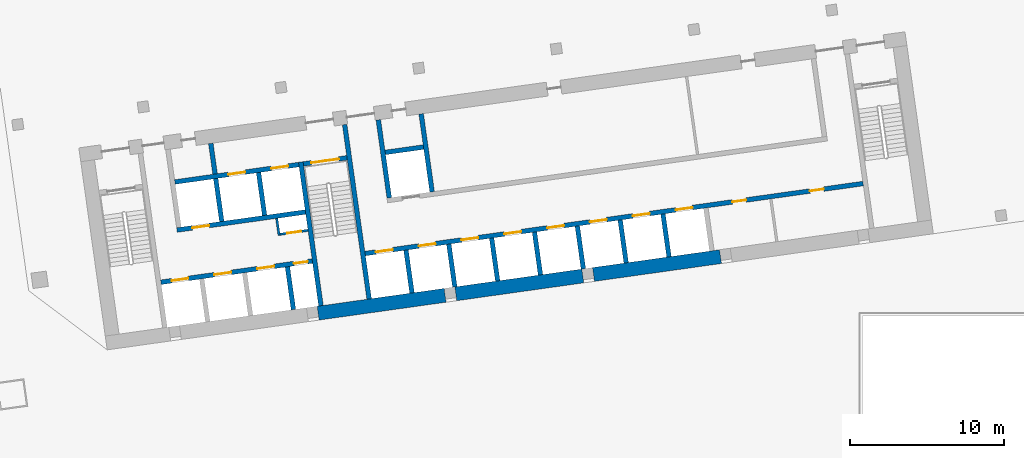
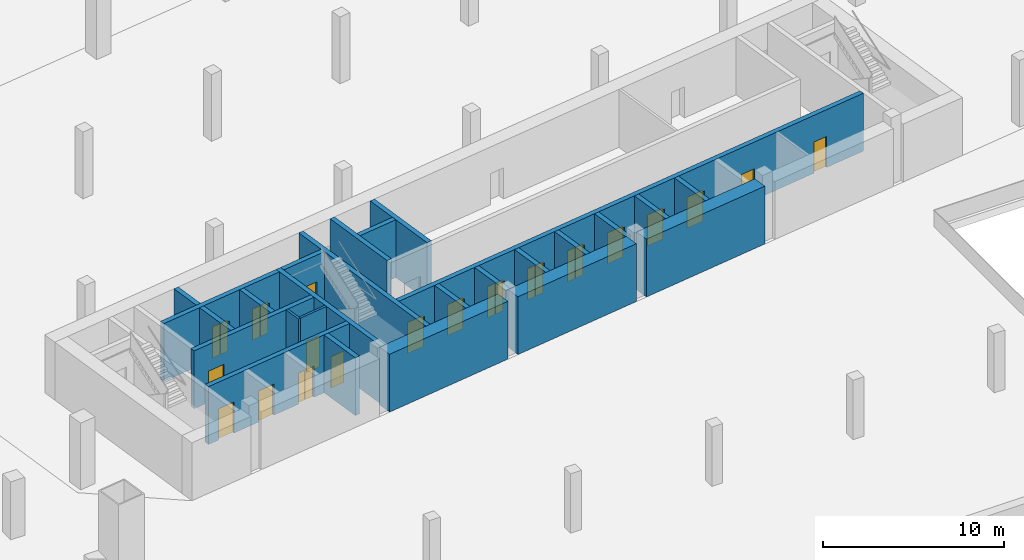
# One storey, part 9 of 17: 26 walls, 19 doors, 19 openings.
"""IFC4 building model written with IfcOpenShell, lengths in metres."""

from ifc_helpers import new_model, si_unit, direction, frame, frame_2d, origin, place, context, subcontext, project, spatial, rectangle, extrude, material, layer, layer_set, type_object, element, fill, save


model = new_model("IFC4")

# Units and contexts
model_context = context("Model", 3, precision=1e-05, world=origin(), true_north=direction((0.0, 1.0)))
body_context = subcontext(model_context, "Body", "Model", "MODEL_VIEW")
ifc_project = project(units=[si_unit("LENGTHUNIT", "METRE"), si_unit("AREAUNIT", "SQUARE_METRE"), si_unit("VOLUMEUNIT", "CUBIC_METRE"), si_unit("PLANEANGLEUNIT", "RADIAN"), si_unit("MASSUNIT", "GRAM", prefix="KILO")], contexts=[model_context])

# Site, building, storey
site_placement = place(None, origin())
site = spatial("IfcSite", under=ifc_project, at=site_placement, CompositionType="ELEMENT")
building_placement = place(site_placement, origin())
building = spatial("IfcBuilding", under=site, at=building_placement, Name="Mirante Cascada Hotel Towers", CompositionType="ELEMENT")
storey_placement = place(building_placement, frame((0.0, 0.0, -4.5)))
storey = spatial("IfcBuildingStorey", under=building, at=storey_placement, Name="B1", CompositionType="ELEMENT", Elevation=-4.5)

# Wall
ifc_material_1 = material(Name="Masonry block", Category="masonry")
ifc_layer_1 = layer(ifc_material_1, 0.15)
ifc_layer_set_1 = layer_set([ifc_layer_1], Name="Core room partition 150 block EI 30")
wall_type_1 = type_object("IfcWallType", Name="Core room partition 150 block EI 30", PredefinedType="PARTITIONING", material=ifc_layer_set_1)
wall_1_placement = place(storey_placement, frame((48.2295, -12.793, 0.0), z_axis=(0.0, 0.0, 1.0), x_axis=(-0.1391935, 0.9902652, 0.0)))
element("IfcWall", 1, at=wall_1_placement, inside=storey, type_object=wall_type_1, Name="Core wall partition T2 B1 2", PredefinedType="PARTITIONING", context=body_context, shape_type="SweptSolid", body=[
    extrude(rectangle(XDim=1.1251, YDim=0.15, at=frame_2d((0.5626, 0.0))), origin(), (0.0, 0.0, 1.0), 3.9),
])

# Wall, opening, door
wall_2_placement = place(storey_placement, frame((48.2933, -12.7083, 0.0), z_axis=(0.0, 0.0, 1.0), x_axis=(0.990268, 0.1391734, 0.0)))
wall_2 = element("IfcWall", 2, at=wall_2_placement, inside=storey, type_object=wall_type_1, Name="Core wall partition T2 B1 3", PredefinedType="PARTITIONING", context=body_context, shape_type="SweptSolid", body=[
    extrude(rectangle(XDim=1.8251, YDim=0.15, at=frame_2d((0.9126, 0.0))), origin(), (0.0, 0.0, 1.0), 3.9),
])
opening_1_placement = place(wall_2_placement, frame((0.4625, 0.0, 0.0)))
opening_1 = element("IfcOpeningElement", 3, at=opening_1_placement, cuts=wall_2, Name="Opening D2-B1-C26", PredefinedType="OPENING", context=body_context, shape_type="SweptSolid", body=[
    extrude(rectangle(XDim=0.9, YDim=2.1, at=frame_2d((0.45, 1.05))), frame((0.0, 0.075, 0.0), z_axis=(0.0, -1.0, 0.0), x_axis=(1.0, 0.0, 0.0)), (0.0, 0.0, 1.0), 0.15),
])
ifc_material_2 = material(Name="Hollow metal fire door leaf")
door_type_1 = type_object("IfcDoorType", Name="Fire door 900x2100 FD60", OperationType="NOTDEFINED", PredefinedType="DOOR", material=ifc_material_2)
door_1_placement = place(opening_1_placement, frame((0.9, 0.0, 0.0), z_axis=(0.0, 0.0, 1.0), x_axis=(-1.0, 0.0, 0.0)))
door_1 = element("IfcDoor", 4, at=door_1_placement, inside=storey, type_object=door_type_1, Name="Riser door T2 B1 26", OperationType="SINGLE_SWING_LEFT", OverallHeight=2.1, OverallWidth=0.9, PredefinedType="DOOR", context=body_context, shape_type="SweptSolid", body=[
    extrude(rectangle(XDim=0.9, YDim=2.1, at=frame_2d((0.45, 1.05))), frame((0.0, 0.025, 0.0), z_axis=(0.0, -1.0, 0.0), x_axis=(1.0, 0.0, 0.0)), (0.0, 0.0, 1.0), 0.05),
])
fill(opening_1, door_1)

# Walls
ifc_material_3 = material(Name="Masonry block", Category="masonry")
ifc_layer_2 = layer(ifc_material_3, 0.3)
ifc_layer_set_2 = layer_set([ifc_layer_2], Name="Core wall 300 block EI 120")
wall_type_2 = type_object("IfcWallType", Name="Core wall 300 block EI 120", PredefinedType="PARTITIONING", material=ifc_layer_set_2)
wall_3_placement = place(storey_placement, frame((44.0843, -8.8061, 0.0), z_axis=(0.0, 0.0, 1.0), x_axis=(-0.1391951, 0.990265, 0.0)))
element("IfcWall", 5, at=wall_3_placement, inside=storey, type_object=wall_type_2, Name="Core wall partition T2 B1 1", PredefinedType="PARTITIONING", context=body_context, shape_type="SweptSolid", body=[
    extrude(rectangle(XDim=2.0001, YDim=0.3, at=frame_2d((1.0001, 0.0))), origin(), (0.0, 0.0, 1.0), 3.9),
])
ifc_material_4 = material(Name="Concrete C50/60", Category="concrete")
ifc_layer_3 = layer(ifc_material_4, 0.3)
ifc_layer_set_3 = layer_set([ifc_layer_3], Name="RC core wall 300 C50/60")
wall_type_3 = type_object("IfcWallType", Name="RC core wall 300 C50/60", PredefinedType="SHEAR", material=ifc_layer_set_3)
wall_4_placement = place(storey_placement, frame((50.938, -17.3352, 0.0), z_axis=(0.0, 0.0, 1.0), x_axis=(-0.1391706, 0.9902684, 0.0)))
element("IfcWall", 6, at=wall_4_placement, inside=storey, type_object=wall_type_3, Name="Core wall T2:B1:6", PredefinedType="SHEAR", context=body_context, shape_type="SweptSolid", body=[
    extrude(rectangle(XDim=9.4, YDim=0.3, at=frame_2d((4.7, 0.0))), origin(), (0.0, 0.0, 1.0), 3.9),
])
wall_5_placement = place(storey_placement, frame((54.0574, -16.8968, 0.0), z_axis=(0.0, 0.0, 1.0), x_axis=(-0.1391761, 0.9902677, 0.0)))
element("IfcWall", 7, at=wall_5_placement, inside=storey, type_object=wall_type_3, Name="Core wall T2:B1:7", PredefinedType="SHEAR", context=body_context, shape_type="SweptSolid", body=[
    extrude(rectangle(XDim=11.3999, YDim=0.3, at=frame_2d((5.7, 0.0))), origin(), (0.0, 0.0, 1.0), 3.9),
])

# Wall, opening, door
wall_6_placement = place(storey_placement, frame((49.7992, -8.1544, 0.0), z_axis=(0.0, 0.0, 1.0), x_axis=(0.9902656, 0.1391909, 0.0)))
wall_6 = element("IfcWall", 8, at=wall_6_placement, inside=storey, type_object=wall_type_3, Name="Core wall T2:B1:10", PredefinedType="SHEAR", context=body_context, shape_type="SweptSolid", body=[
    extrude(rectangle(XDim=2.85, YDim=0.3, at=frame_2d((1.425, 0.0))), origin(), (0.0, 0.0, 1.0), 3.9),
])
opening_2_placement = place(wall_6_placement, frame((0.525, 0.0, 0.0)))
opening_2 = element("IfcOpeningElement", 9, at=opening_2_placement, cuts=wall_6, Name="Opening D2-B1-C18", PredefinedType="OPENING", context=body_context, shape_type="SweptSolid", body=[
    extrude(rectangle(XDim=1.8, YDim=2.1, at=frame_2d((0.9, 1.05))), frame((0.0, 0.15, 0.0), z_axis=(0.0, -1.0, 0.0), x_axis=(1.0, 0.0, 0.0)), (0.0, 0.0, 1.0), 0.3),
])
ifc_material_5 = material(Name="Hollow metal fire door leaf")
door_type_2 = type_object("IfcDoorType", Name="Double fire door 1800x2100 FD60", OperationType="DOUBLE_DOOR_SINGLE_SWING", PredefinedType="DOOR", material=ifc_material_5)
door_2_placement = place(opening_2_placement, frame((1.8, 0.0, 0.0), z_axis=(0.0, 0.0, 1.0), x_axis=(-1.0, 0.0, 0.0)))
door_2 = element("IfcDoor", 10, at=door_2_placement, inside=storey, type_object=door_type_2, Name="Stair door T2 B1 18", OperationType="DOUBLE_DOOR_SINGLE_SWING", OverallHeight=2.1, OverallWidth=1.8, PredefinedType="DOOR", context=body_context, shape_type="SweptSolid", body=[
    extrude(rectangle(XDim=0.895, YDim=2.1, at=frame_2d((0.4475, 1.05))), frame((0.0, 0.025, 0.0), z_axis=(0.0, -1.0, 0.0), x_axis=(1.0, 0.0, 0.0)), (0.0, 0.0, 1.0), 0.05),
    extrude(rectangle(XDim=0.895, YDim=2.1, at=frame_2d((1.3525, 1.05))), frame((0.0, 0.025, 0.0), z_axis=(0.0, -1.0, 0.0), x_axis=(1.0, 0.0, 0.0)), (0.0, 0.0, 1.0), 0.05),
])
fill(opening_2, door_2)

# Wall, openings, doors
wall_7_placement = place(storey_placement, frame((40.5753, -15.8126, 0.0), z_axis=(0.0, 0.0, 1.0), x_axis=(0.9902682, 0.1391725, 0.0)))
wall_7 = element("IfcWall", 11, at=wall_7_placement, inside=storey, type_object=wall_type_3, Name="Core wall T2:B1:12", PredefinedType="SHEAR", context=body_context, shape_type="SweptSolid", body=[
    extrude(rectangle(XDim=9.8999, YDim=0.3, at=frame_2d((4.95, 0.0))), origin(), (0.0, 0.0, 1.0), 3.9),
])
opening_3_placement = place(wall_7_placement, frame((0.7, 0.0, 0.0)))
opening_3 = element("IfcOpeningElement", 12, at=opening_3_placement, cuts=wall_7, Name="Opening LD", PredefinedType="OPENING", context=body_context, shape_type="SweptSolid", body=[
    extrude(rectangle(XDim=1.1, YDim=2.1, at=frame_2d((0.55, 1.05))), frame((0.0, 0.15, 0.0), z_axis=(0.0, -1.0, 0.0), x_axis=(1.0, 0.0, 0.0)), (0.0, 0.0, 1.0), 0.3),
])
opening_4_placement = place(wall_7_placement, frame((3.5, 0.0, 0.0)))
opening_4 = element("IfcOpeningElement", 13, at=opening_4_placement, cuts=wall_7, Name="Opening LD", PredefinedType="OPENING", context=body_context, shape_type="SweptSolid", body=[
    extrude(rectangle(XDim=1.1, YDim=2.1, at=frame_2d((0.55, 1.05))), frame((0.0, 0.15, 0.0), z_axis=(0.0, -1.0, 0.0), x_axis=(1.0, 0.0, 0.0)), (0.0, 0.0, 1.0), 0.3),
])
opening_5_placement = place(wall_7_placement, frame((6.3, 0.0, 0.0)))
opening_5 = element("IfcOpeningElement", 14, at=opening_5_placement, cuts=wall_7, Name="Opening LD", PredefinedType="OPENING", context=body_context, shape_type="SweptSolid", body=[
    extrude(rectangle(XDim=1.1, YDim=2.1, at=frame_2d((0.55, 1.05))), frame((0.0, 0.15, 0.0), z_axis=(0.0, -1.0, 0.0), x_axis=(1.0, 0.0, 0.0)), (0.0, 0.0, 1.0), 0.3),
])
opening_6_placement = place(wall_7_placement, frame((8.7, 0.0, 0.0)))
opening_6 = element("IfcOpeningElement", 15, at=opening_6_placement, cuts=wall_7, Name="Opening D2-B1-C25", PredefinedType="OPENING", context=body_context, shape_type="SweptSolid", body=[
    extrude(rectangle(XDim=0.9, YDim=2.1, at=frame_2d((0.45, 1.05))), frame((0.0, 0.15, 0.0), z_axis=(0.0, -1.0, 0.0), x_axis=(1.0, 0.0, 0.0)), (0.0, 0.0, 1.0), 0.3),
])
door_3_placement = place(opening_6_placement, frame((0.9, 0.0, 0.0), z_axis=(0.0, 0.0, 1.0), x_axis=(-1.0, 0.0, 0.0)))
door_3 = element("IfcDoor", 16, at=door_3_placement, inside=storey, type_object=door_type_1, Name="Riser door T2 B1 25", OperationType="SINGLE_SWING_RIGHT", OverallHeight=2.1, OverallWidth=0.9, PredefinedType="DOOR", context=body_context, shape_type="SweptSolid", body=[
    extrude(rectangle(XDim=0.9, YDim=2.1, at=frame_2d((0.45, 1.05))), frame((0.0, 0.025, 0.0), z_axis=(0.0, -1.0, 0.0), x_axis=(1.0, 0.0, 0.0)), (0.0, 0.0, 1.0), 0.05),
])
fill(opening_6, door_3)
ifc_material_6 = material(Name="Stainless steel", Category="steel")
door_type_3 = type_object("IfcDoorType", Name="Lift landing door 1100x2100 EI 120", OperationType="DOUBLE_DOOR_SLIDING", PredefinedType="DOOR", material=ifc_material_6)
door_4_placement = place(opening_3_placement, origin())
door_4 = element("IfcDoor", 17, at=door_4_placement, inside=storey, type_object=door_type_3, Name="Lift landing door HR2-1 B1", OperationType="DOUBLE_DOOR_SLIDING", OverallHeight=2.1, OverallWidth=1.1, PredefinedType="DOOR", context=body_context, shape_type="SweptSolid", body=[
    extrude(rectangle(XDim=0.545, YDim=2.1, at=frame_2d((0.2725, 1.05))), frame((0.0, 0.025, 0.0), z_axis=(0.0, -1.0, 0.0), x_axis=(1.0, 0.0, 0.0)), (0.0, 0.0, 1.0), 0.05),
    extrude(rectangle(XDim=0.545, YDim=2.1, at=frame_2d((0.8275, 1.05))), frame((0.0, 0.025, 0.0), z_axis=(0.0, -1.0, 0.0), x_axis=(1.0, 0.0, 0.0)), (0.0, 0.0, 1.0), 0.05),
])
fill(opening_3, door_4)
door_5_placement = place(opening_4_placement, origin())
door_5 = element("IfcDoor", 18, at=door_5_placement, inside=storey, type_object=door_type_3, Name="Lift landing door HR2-2 B1", OperationType="DOUBLE_DOOR_SLIDING", OverallHeight=2.1, OverallWidth=1.1, PredefinedType="DOOR", context=body_context, shape_type="SweptSolid", body=[
    extrude(rectangle(XDim=0.545, YDim=2.1, at=frame_2d((0.2725, 1.05))), frame((0.0, 0.025, 0.0), z_axis=(0.0, -1.0, 0.0), x_axis=(1.0, 0.0, 0.0)), (0.0, 0.0, 1.0), 0.05),
    extrude(rectangle(XDim=0.545, YDim=2.1, at=frame_2d((0.8275, 1.05))), frame((0.0, 0.025, 0.0), z_axis=(0.0, -1.0, 0.0), x_axis=(1.0, 0.0, 0.0)), (0.0, 0.0, 1.0), 0.05),
])
fill(opening_4, door_5)
door_6_placement = place(opening_5_placement, origin())
door_6 = element("IfcDoor", 19, at=door_6_placement, inside=storey, type_object=door_type_3, Name="Lift landing door HR2-3 B1", OperationType="DOUBLE_DOOR_SLIDING", OverallHeight=2.1, OverallWidth=1.1, PredefinedType="DOOR", context=body_context, shape_type="SweptSolid", body=[
    extrude(rectangle(XDim=0.545, YDim=2.1, at=frame_2d((0.2725, 1.05))), frame((0.0, 0.025, 0.0), z_axis=(0.0, -1.0, 0.0), x_axis=(1.0, 0.0, 0.0)), (0.0, 0.0, 1.0), 0.05),
    extrude(rectangle(XDim=0.545, YDim=2.1, at=frame_2d((0.8275, 1.05))), frame((0.0, 0.025, 0.0), z_axis=(0.0, -1.0, 0.0), x_axis=(1.0, 0.0, 0.0)), (0.0, 0.0, 1.0), 0.05),
])
fill(opening_5, door_6)

# Wall, opening, door
wall_8_placement = place(storey_placement, frame((41.6153, -12.435, 0.0), z_axis=(0.0, 0.0, 1.0), x_axis=(0.9902691, 0.139166, 0.0)))
wall_8 = element("IfcWall", 20, at=wall_8_placement, inside=storey, type_object=wall_type_3, Name="Core wall T2:B1:13", PredefinedType="SHEAR", context=body_context, shape_type="SweptSolid", body=[
    extrude(rectangle(XDim=8.4, YDim=0.3, at=frame_2d((4.2, 0.0))), origin(), (0.0, 0.0, 1.0), 3.9),
])
opening_7_placement = place(wall_8_placement, frame((1.0, 0.0, 0.0)))
opening_7 = element("IfcOpeningElement", 21, at=opening_7_placement, cuts=wall_8, Name="Opening LD", PredefinedType="OPENING", context=body_context, shape_type="SweptSolid", body=[
    extrude(rectangle(XDim=1.1, YDim=2.1, at=frame_2d((0.55, 1.05))), frame((0.0, 0.15, 0.0), z_axis=(0.0, -1.0, 0.0), x_axis=(1.0, 0.0, 0.0)), (0.0, 0.0, 1.0), 0.3),
])
door_7_placement = place(opening_7_placement, origin())
door_7 = element("IfcDoor", 22, at=door_7_placement, inside=storey, type_object=door_type_3, Name="Lift landing door HR2-4 B1", OperationType="DOUBLE_DOOR_SLIDING", OverallHeight=2.1, OverallWidth=1.1, PredefinedType="DOOR", context=body_context, shape_type="SweptSolid", body=[
    extrude(rectangle(XDim=0.545, YDim=2.1, at=frame_2d((0.2725, 1.05))), frame((0.0, 0.025, 0.0), z_axis=(0.0, -1.0, 0.0), x_axis=(1.0, 0.0, 0.0)), (0.0, 0.0, 1.0), 0.05),
    extrude(rectangle(XDim=0.545, YDim=2.1, at=frame_2d((0.8275, 1.05))), frame((0.0, 0.025, 0.0), z_axis=(0.0, -1.0, 0.0), x_axis=(1.0, 0.0, 0.0)), (0.0, 0.0, 1.0), 0.05),
])
fill(opening_7, door_7)

# Wall, openings, doors
wall_9_placement = place(storey_placement, frame((41.481, -9.3234, 0.0), z_axis=(0.0, 0.0, 1.0), x_axis=(0.9902679, 0.1391741, 0.0)))
wall_9 = element("IfcWall", 23, at=wall_9_placement, inside=storey, type_object=wall_type_3, Name="Core wall T2:B1:14", PredefinedType="SHEAR", context=body_context, shape_type="SweptSolid", body=[
    extrude(rectangle(XDim=8.0999, YDim=0.3, at=frame_2d((4.05, 0.0))), origin(), (0.0, 0.0, 1.0), 3.9),
])
opening_8_placement = place(wall_9_placement, frame((3.5, 0.0, 0.0)))
opening_8 = element("IfcOpeningElement", 24, at=opening_8_placement, cuts=wall_9, Name="Opening LD", PredefinedType="OPENING", context=body_context, shape_type="SweptSolid", body=[
    extrude(rectangle(XDim=1.1, YDim=2.1, at=frame_2d((0.55, 1.05))), frame((0.0, 0.15, 0.0), z_axis=(0.0, -1.0, 0.0), x_axis=(1.0, 0.0, 0.0)), (0.0, 0.0, 1.0), 0.3),
])
opening_9_placement = place(wall_9_placement, frame((6.3, 0.0, 0.0)))
opening_9 = element("IfcOpeningElement", 25, at=opening_9_placement, cuts=wall_9, Name="Opening LD", PredefinedType="OPENING", context=body_context, shape_type="SweptSolid", body=[
    extrude(rectangle(XDim=1.1, YDim=2.1, at=frame_2d((0.55, 1.05))), frame((0.0, 0.15, 0.0), z_axis=(0.0, -1.0, 0.0), x_axis=(1.0, 0.0, 0.0)), (0.0, 0.0, 1.0), 0.3),
])
door_8_placement = place(opening_8_placement, origin())
door_8 = element("IfcDoor", 26, at=door_8_placement, inside=storey, type_object=door_type_3, Name="Lift landing door FF3 B1", OperationType="DOUBLE_DOOR_SLIDING", OverallHeight=2.1, OverallWidth=1.1, PredefinedType="DOOR", context=body_context, shape_type="SweptSolid", body=[
    extrude(rectangle(XDim=0.545, YDim=2.1, at=frame_2d((0.2725, 1.05))), frame((0.0, 0.025, 0.0), z_axis=(0.0, -1.0, 0.0), x_axis=(1.0, 0.0, 0.0)), (0.0, 0.0, 1.0), 0.05),
    extrude(rectangle(XDim=0.545, YDim=2.1, at=frame_2d((0.8275, 1.05))), frame((0.0, 0.025, 0.0), z_axis=(0.0, -1.0, 0.0), x_axis=(1.0, 0.0, 0.0)), (0.0, 0.0, 1.0), 0.05),
])
fill(opening_8, door_8)
door_9_placement = place(opening_9_placement, origin())
door_9 = element("IfcDoor", 27, at=door_9_placement, inside=storey, type_object=door_type_3, Name="Lift landing door FF4 B1", OperationType="DOUBLE_DOOR_SLIDING", OverallHeight=2.1, OverallWidth=1.1, PredefinedType="DOOR", context=body_context, shape_type="SweptSolid", body=[
    extrude(rectangle(XDim=0.545, YDim=2.1, at=frame_2d((0.2725, 1.05))), frame((0.0, 0.025, 0.0), z_axis=(0.0, -1.0, 0.0), x_axis=(1.0, 0.0, 0.0)), (0.0, 0.0, 1.0), 0.05),
    extrude(rectangle(XDim=0.545, YDim=2.1, at=frame_2d((0.8275, 1.05))), frame((0.0, 0.025, 0.0), z_axis=(0.0, -1.0, 0.0), x_axis=(1.0, 0.0, 0.0)), (0.0, 0.0, 1.0), 0.05),
])
fill(opening_9, door_9)

# Walls
wall_10_placement = place(storey_placement, frame((49.1555, -17.5857, 0.0), z_axis=(0.0, 0.0, 1.0), x_axis=(-0.1391459, 0.9902719, 0.0)))
element("IfcWall", 28, at=wall_10_placement, inside=storey, type_object=wall_type_3, Name="Core wall T2:B1:17", PredefinedType="SHEAR", context=body_context, shape_type="SweptSolid", body=[
    extrude(rectangle(XDim=2.7999, YDim=0.3, at=frame_2d((1.4, 0.0))), origin(), (0.0, 0.0, 1.0), 3.9),
])
for number, where, z_axis, x_axis, name in (
    (29, (44.5157, -11.8759, 0.0), (0.0, 0.0, 1.0), (-0.139181, 0.990267, 0.0), "Core wall T2:B1:18"),
    (30, (47.2885, -11.4862, 0.0), (0.0, 0.0, 1.0), (-0.139181, 0.990267, 0.0), "Core wall T2:B1:19"),
):
    element("IfcWall", number, at=place(storey_placement, frame(where, z_axis=z_axis, x_axis=x_axis)), inside=storey, type_object=wall_type_3, Name=name, PredefinedType="SHEAR", context=body_context, shape_type="SweptSolid", body=[
        extrude(rectangle(XDim=2.8, YDim=0.3, at=frame_2d((1.4, 0.0))), origin(), (0.0, 0.0, 1.0), 3.9),
    ])

# Wall, openings, doors
wall_11_placement = place(storey_placement, frame((53.7953, -13.9547, 0.0), z_axis=(0.0, 0.0, 1.0), x_axis=(0.990268, 0.1391733, 0.0)))
wall_11 = element("IfcWall", 31, at=wall_11_placement, inside=storey, type_object=wall_type_3, Name="Core wall T2:B1:24", PredefinedType="SHEAR", context=body_context, shape_type="SweptSolid", body=[
    extrude(rectangle(XDim=32.5501, YDim=0.3, at=frame_2d((16.275, 0.0))), origin(), (0.0, 0.0, 1.0), 3.9),
])
opening_10_placement = place(wall_11_placement, frame((0.7, 0.0, 0.0)))
opening_10 = element("IfcOpeningElement", 32, at=opening_10_placement, cuts=wall_11, Name="Opening LD", PredefinedType="OPENING", context=body_context, shape_type="SweptSolid", body=[
    extrude(rectangle(XDim=1.1, YDim=2.1, at=frame_2d((0.55, 1.05))), frame((0.0, 0.15, 0.0), z_axis=(0.0, -1.0, 0.0), x_axis=(1.0, 0.0, 0.0)), (0.0, 0.0, 1.0), 0.3),
])
opening_11_placement = place(wall_11_placement, frame((3.5, 0.0, 0.0)))
opening_11 = element("IfcOpeningElement", 33, at=opening_11_placement, cuts=wall_11, Name="Opening LD", PredefinedType="OPENING", context=body_context, shape_type="SweptSolid", body=[
    extrude(rectangle(XDim=1.1, YDim=2.1, at=frame_2d((0.55, 1.05))), frame((0.0, 0.15, 0.0), z_axis=(0.0, -1.0, 0.0), x_axis=(1.0, 0.0, 0.0)), (0.0, 0.0, 1.0), 0.3),
])
opening_12_placement = place(wall_11_placement, frame((6.3, 0.0, 0.0)))
opening_12 = element("IfcOpeningElement", 34, at=opening_12_placement, cuts=wall_11, Name="Opening LD", PredefinedType="OPENING", context=body_context, shape_type="SweptSolid", body=[
    extrude(rectangle(XDim=1.1, YDim=2.1, at=frame_2d((0.55, 1.05))), frame((0.0, 0.15, 0.0), z_axis=(0.0, -1.0, 0.0), x_axis=(1.0, 0.0, 0.0)), (0.0, 0.0, 1.0), 0.3),
])
opening_13_placement = place(wall_11_placement, frame((9.1, 0.0, 0.0)))
opening_13 = element("IfcOpeningElement", 35, at=opening_13_placement, cuts=wall_11, Name="Opening LD", PredefinedType="OPENING", context=body_context, shape_type="SweptSolid", body=[
    extrude(rectangle(XDim=1.1, YDim=2.1, at=frame_2d((0.55, 1.05))), frame((0.0, 0.15, 0.0), z_axis=(0.0, -1.0, 0.0), x_axis=(1.0, 0.0, 0.0)), (0.0, 0.0, 1.0), 0.3),
])
opening_14_placement = place(wall_11_placement, frame((11.9, 0.0, 0.0)))
opening_14 = element("IfcOpeningElement", 36, at=opening_14_placement, cuts=wall_11, Name="Opening LD", PredefinedType="OPENING", context=body_context, shape_type="SweptSolid", body=[
    extrude(rectangle(XDim=1.1, YDim=2.1, at=frame_2d((0.55, 1.05))), frame((0.0, 0.15, 0.0), z_axis=(0.0, -1.0, 0.0), x_axis=(1.0, 0.0, 0.0)), (0.0, 0.0, 1.0), 0.3),
])
opening_15_placement = place(wall_11_placement, frame((14.7, 0.0, 0.0)))
opening_15 = element("IfcOpeningElement", 37, at=opening_15_placement, cuts=wall_11, Name="Opening LD", PredefinedType="OPENING", context=body_context, shape_type="SweptSolid", body=[
    extrude(rectangle(XDim=1.1, YDim=2.1, at=frame_2d((0.55, 1.05))), frame((0.0, 0.15, 0.0), z_axis=(0.0, -1.0, 0.0), x_axis=(1.0, 0.0, 0.0)), (0.0, 0.0, 1.0), 0.3),
])
opening_16_placement = place(wall_11_placement, frame((17.5, 0.0, 0.0)))
opening_16 = element("IfcOpeningElement", 38, at=opening_16_placement, cuts=wall_11, Name="Opening LD", PredefinedType="OPENING", context=body_context, shape_type="SweptSolid", body=[
    extrude(rectangle(XDim=1.1, YDim=2.1, at=frame_2d((0.55, 1.05))), frame((0.0, 0.15, 0.0), z_axis=(0.0, -1.0, 0.0), x_axis=(1.0, 0.0, 0.0)), (0.0, 0.0, 1.0), 0.3),
])
opening_17_placement = place(wall_11_placement, frame((20.3, 0.0, 0.0)))
opening_17 = element("IfcOpeningElement", 39, at=opening_17_placement, cuts=wall_11, Name="Opening LD", PredefinedType="OPENING", context=body_context, shape_type="SweptSolid", body=[
    extrude(rectangle(XDim=1.1, YDim=2.1, at=frame_2d((0.55, 1.05))), frame((0.0, 0.15, 0.0), z_axis=(0.0, -1.0, 0.0), x_axis=(1.0, 0.0, 0.0)), (0.0, 0.0, 1.0), 0.3),
])
opening_18_placement = place(wall_11_placement, frame((24.0, 0.0, 0.0)))
opening_18 = element("IfcOpeningElement", 40, at=opening_18_placement, cuts=wall_11, Name="Opening D2-B1-C28", PredefinedType="OPENING", context=body_context, shape_type="SweptSolid", body=[
    extrude(rectangle(XDim=0.9, YDim=2.1, at=frame_2d((0.45, 1.05))), frame((0.0, 0.15, 0.0), z_axis=(0.0, -1.0, 0.0), x_axis=(1.0, 0.0, 0.0)), (0.0, 0.0, 1.0), 0.3),
])
opening_19_placement = place(wall_11_placement, frame((29.075, 0.0, 0.0)))
opening_19 = element("IfcOpeningElement", 41, at=opening_19_placement, cuts=wall_11, Name="Opening D2-B1-C29", PredefinedType="OPENING", context=body_context, shape_type="SweptSolid", body=[
    extrude(rectangle(XDim=0.9, YDim=2.1, at=frame_2d((0.45, 1.05))), frame((0.0, 0.15, 0.0), z_axis=(0.0, -1.0, 0.0), x_axis=(1.0, 0.0, 0.0)), (0.0, 0.0, 1.0), 0.3),
])
door_10_placement = place(opening_18_placement, frame((0.9, 0.0, 0.0), z_axis=(0.0, 0.0, 1.0), x_axis=(-1.0, 0.0, 0.0)))
door_10 = element("IfcDoor", 42, at=door_10_placement, inside=storey, type_object=door_type_1, Name="Room door T2 B1 28", OperationType="SINGLE_SWING_RIGHT", OverallHeight=2.1, OverallWidth=0.9, PredefinedType="DOOR", context=body_context, shape_type="SweptSolid", body=[
    extrude(rectangle(XDim=0.9, YDim=2.1, at=frame_2d((0.45, 1.05))), frame((0.0, 0.025, 0.0), z_axis=(0.0, -1.0, 0.0), x_axis=(1.0, 0.0, 0.0)), (0.0, 0.0, 1.0), 0.05),
])
fill(opening_18, door_10)
door_11_placement = place(opening_19_placement, frame((0.9, 0.0, 0.0), z_axis=(0.0, 0.0, 1.0), x_axis=(-1.0, 0.0, 0.0)))
door_11 = element("IfcDoor", 43, at=door_11_placement, inside=storey, type_object=door_type_1, Name="Room door T2 B1 29", OperationType="SINGLE_SWING_RIGHT", OverallHeight=2.1, OverallWidth=0.9, PredefinedType="DOOR", context=body_context, shape_type="SweptSolid", body=[
    extrude(rectangle(XDim=0.9, YDim=2.1, at=frame_2d((0.45, 1.05))), frame((0.0, 0.025, 0.0), z_axis=(0.0, -1.0, 0.0), x_axis=(1.0, 0.0, 0.0)), (0.0, 0.0, 1.0), 0.05),
])
fill(opening_19, door_11)
door_12_placement = place(opening_10_placement, origin())
door_12 = element("IfcDoor", 44, at=door_12_placement, inside=storey, type_object=door_type_3, Name="Lift landing door LR2-1 B1", OperationType="DOUBLE_DOOR_SLIDING", OverallHeight=2.1, OverallWidth=1.1, PredefinedType="DOOR", context=body_context, shape_type="SweptSolid", body=[
    extrude(rectangle(XDim=0.545, YDim=2.1, at=frame_2d((0.2725, 1.05))), frame((0.0, 0.025, 0.0), z_axis=(0.0, -1.0, 0.0), x_axis=(1.0, 0.0, 0.0)), (0.0, 0.0, 1.0), 0.05),
    extrude(rectangle(XDim=0.545, YDim=2.1, at=frame_2d((0.8275, 1.05))), frame((0.0, 0.025, 0.0), z_axis=(0.0, -1.0, 0.0), x_axis=(1.0, 0.0, 0.0)), (0.0, 0.0, 1.0), 0.05),
])
fill(opening_10, door_12)
door_13_placement = place(opening_11_placement, origin())
door_13 = element("IfcDoor", 45, at=door_13_placement, inside=storey, type_object=door_type_3, Name="Lift landing door LR2-2 B1", OperationType="DOUBLE_DOOR_SLIDING", OverallHeight=2.1, OverallWidth=1.1, PredefinedType="DOOR", context=body_context, shape_type="SweptSolid", body=[
    extrude(rectangle(XDim=0.545, YDim=2.1, at=frame_2d((0.2725, 1.05))), frame((0.0, 0.025, 0.0), z_axis=(0.0, -1.0, 0.0), x_axis=(1.0, 0.0, 0.0)), (0.0, 0.0, 1.0), 0.05),
    extrude(rectangle(XDim=0.545, YDim=2.1, at=frame_2d((0.8275, 1.05))), frame((0.0, 0.025, 0.0), z_axis=(0.0, -1.0, 0.0), x_axis=(1.0, 0.0, 0.0)), (0.0, 0.0, 1.0), 0.05),
])
fill(opening_11, door_13)
door_14_placement = place(opening_12_placement, origin())
door_14 = element("IfcDoor", 46, at=door_14_placement, inside=storey, type_object=door_type_3, Name="Lift landing door SV2-1 B1", OperationType="DOUBLE_DOOR_SLIDING", OverallHeight=2.1, OverallWidth=1.1, PredefinedType="DOOR", context=body_context, shape_type="SweptSolid", body=[
    extrude(rectangle(XDim=0.545, YDim=2.1, at=frame_2d((0.2725, 1.05))), frame((0.0, 0.025, 0.0), z_axis=(0.0, -1.0, 0.0), x_axis=(1.0, 0.0, 0.0)), (0.0, 0.0, 1.0), 0.05),
    extrude(rectangle(XDim=0.545, YDim=2.1, at=frame_2d((0.8275, 1.05))), frame((0.0, 0.025, 0.0), z_axis=(0.0, -1.0, 0.0), x_axis=(1.0, 0.0, 0.0)), (0.0, 0.0, 1.0), 0.05),
])
fill(opening_12, door_14)
door_15_placement = place(opening_13_placement, origin())
door_15 = element("IfcDoor", 47, at=door_15_placement, inside=storey, type_object=door_type_3, Name="Lift landing door SV2-2 B1", OperationType="DOUBLE_DOOR_SLIDING", OverallHeight=2.1, OverallWidth=1.1, PredefinedType="DOOR", context=body_context, shape_type="SweptSolid", body=[
    extrude(rectangle(XDim=0.545, YDim=2.1, at=frame_2d((0.2725, 1.05))), frame((0.0, 0.025, 0.0), z_axis=(0.0, -1.0, 0.0), x_axis=(1.0, 0.0, 0.0)), (0.0, 0.0, 1.0), 0.05),
    extrude(rectangle(XDim=0.545, YDim=2.1, at=frame_2d((0.8275, 1.05))), frame((0.0, 0.025, 0.0), z_axis=(0.0, -1.0, 0.0), x_axis=(1.0, 0.0, 0.0)), (0.0, 0.0, 1.0), 0.05),
])
fill(opening_13, door_15)
door_16_placement = place(opening_14_placement, origin())
door_16 = element("IfcDoor", 48, at=door_16_placement, inside=storey, type_object=door_type_3, Name="Lift landing door SV2-3 B1", OperationType="DOUBLE_DOOR_SLIDING", OverallHeight=2.1, OverallWidth=1.1, PredefinedType="DOOR", context=body_context, shape_type="SweptSolid", body=[
    extrude(rectangle(XDim=0.545, YDim=2.1, at=frame_2d((0.2725, 1.05))), frame((0.0, 0.025, 0.0), z_axis=(0.0, -1.0, 0.0), x_axis=(1.0, 0.0, 0.0)), (0.0, 0.0, 1.0), 0.05),
    extrude(rectangle(XDim=0.545, YDim=2.1, at=frame_2d((0.8275, 1.05))), frame((0.0, 0.025, 0.0), z_axis=(0.0, -1.0, 0.0), x_axis=(1.0, 0.0, 0.0)), (0.0, 0.0, 1.0), 0.05),
])
fill(opening_14, door_16)
door_17_placement = place(opening_15_placement, origin())
door_17 = element("IfcDoor", 49, at=door_17_placement, inside=storey, type_object=door_type_3, Name="Lift landing door SV2-4 B1", OperationType="DOUBLE_DOOR_SLIDING", OverallHeight=2.1, OverallWidth=1.1, PredefinedType="DOOR", context=body_context, shape_type="SweptSolid", body=[
    extrude(rectangle(XDim=0.545, YDim=2.1, at=frame_2d((0.2725, 1.05))), frame((0.0, 0.025, 0.0), z_axis=(0.0, -1.0, 0.0), x_axis=(1.0, 0.0, 0.0)), (0.0, 0.0, 1.0), 0.05),
    extrude(rectangle(XDim=0.545, YDim=2.1, at=frame_2d((0.8275, 1.05))), frame((0.0, 0.025, 0.0), z_axis=(0.0, -1.0, 0.0), x_axis=(1.0, 0.0, 0.0)), (0.0, 0.0, 1.0), 0.05),
])
fill(opening_15, door_17)
door_18_placement = place(opening_16_placement, origin())
door_18 = element("IfcDoor", 50, at=door_18_placement, inside=storey, type_object=door_type_3, Name="Lift landing door PS2-1 B1", OperationType="DOUBLE_DOOR_SLIDING", OverallHeight=2.1, OverallWidth=1.1, PredefinedType="DOOR", context=body_context, shape_type="SweptSolid", body=[
    extrude(rectangle(XDim=0.545, YDim=2.1, at=frame_2d((0.2725, 1.05))), frame((0.0, 0.025, 0.0), z_axis=(0.0, -1.0, 0.0), x_axis=(1.0, 0.0, 0.0)), (0.0, 0.0, 1.0), 0.05),
    extrude(rectangle(XDim=0.545, YDim=2.1, at=frame_2d((0.8275, 1.05))), frame((0.0, 0.025, 0.0), z_axis=(0.0, -1.0, 0.0), x_axis=(1.0, 0.0, 0.0)), (0.0, 0.0, 1.0), 0.05),
])
fill(opening_16, door_18)
door_19_placement = place(opening_17_placement, origin())
door_19 = element("IfcDoor", 51, at=door_19_placement, inside=storey, type_object=door_type_3, Name="Lift landing door PS2-2 B1", OperationType="DOUBLE_DOOR_SLIDING", OverallHeight=2.1, OverallWidth=1.1, PredefinedType="DOOR", context=body_context, shape_type="SweptSolid", body=[
    extrude(rectangle(XDim=0.545, YDim=2.1, at=frame_2d((0.2725, 1.05))), frame((0.0, 0.025, 0.0), z_axis=(0.0, -1.0, 0.0), x_axis=(1.0, 0.0, 0.0)), (0.0, 0.0, 1.0), 0.05),
    extrude(rectangle(XDim=0.545, YDim=2.1, at=frame_2d((0.8275, 1.05))), frame((0.0, 0.025, 0.0), z_axis=(0.0, -1.0, 0.0), x_axis=(1.0, 0.0, 0.0)), (0.0, 0.0, 1.0), 0.05),
])
fill(opening_17, door_19)

# Walls
for number, where, z_axis, x_axis, name in (
    (52, (56.8301, -16.5072, 0.0), (0.0, 0.0, 1.0), (-0.139176, 0.9902677, 0.0), "Core wall T2:B1:25"),
    (53, (59.6029, -16.1175, 0.0), (0.0, 0.0, 1.0), (-0.139176, 0.9902677, 0.0), "Core wall T2:B1:26"),
    (54, (62.3756, -15.7278, 0.0), (0.0, 0.0, 1.0), (-0.139176, 0.9902677, 0.0), "Core wall T2:B1:27"),
    (55, (65.1484, -15.3381, 0.0), (0.0, 0.0, 1.0), (-0.139176, 0.9902677, 0.0), "Core wall T2:B1:28"),
):
    element("IfcWall", number, at=place(storey_placement, frame(where, z_axis=z_axis, x_axis=x_axis)), inside=storey, type_object=wall_type_3, Name=name, PredefinedType="SHEAR", context=body_context, shape_type="SweptSolid", body=[
        extrude(rectangle(XDim=2.8001, YDim=0.3, at=frame_2d((1.4, 0.0))), origin(), (0.0, 0.0, 1.0), 3.9),
    ])
for number, where, z_axis, x_axis, name in (
    (56, (67.9211, -14.9484, 0.0), (0.0, 0.0, 1.0), (-0.139181, 0.990267, 0.0), "Core wall T2:B1:29"),
    (57, (70.6939, -14.5587, 0.0), (0.0, 0.0, 1.0), (-0.139181, 0.990267, 0.0), "Core wall T2:B1:30"),
    (58, (73.4666, -14.169, 0.0), (0.0, 0.0, 1.0), (-0.139181, 0.990267, 0.0), "Core wall T2:B1:31"),
):
    element("IfcWall", number, at=place(storey_placement, frame(where, z_axis=z_axis, x_axis=x_axis)), inside=storey, type_object=wall_type_3, Name=name, PredefinedType="SHEAR", context=body_context, shape_type="SweptSolid", body=[
        extrude(rectangle(XDim=2.8, YDim=0.3, at=frame_2d((1.4, 0.0))), origin(), (0.0, 0.0, 1.0), 3.9),
    ])
for number, where, z_axis, x_axis, name in (
    (59, (55.3592, -10.352, 0.0), (0.0, 0.0, 1.0), (-0.1391755, 0.9902677, 0.0), "Core wall T2:B1:35"),
    (60, (58.1319, -9.9623, 0.0), (0.0, 0.0, 1.0), (-0.1391755, 0.9902677, 0.0), "Core wall T2:B1:37"),
):
    element("IfcWall", number, at=place(storey_placement, frame(where, z_axis=z_axis, x_axis=x_axis)), inside=storey, type_object=wall_type_3, Name=name, PredefinedType="SHEAR", context=body_context, shape_type="SweptSolid", body=[
        extrude(rectangle(XDim=5.1, YDim=0.3, at=frame_2d((2.55, 0.0))), origin(), (0.0, 0.0, 1.0), 3.9),
    ])
wall_12_placement = place(storey_placement, frame((55.0971, -7.4098, 0.0), z_axis=(0.0, 0.0, 1.0), x_axis=(0.9902701, 0.1391586, 0.0)))
element("IfcWall", 61, at=wall_12_placement, inside=storey, type_object=wall_type_3, Name="Core wall T2:B1:38", PredefinedType="SHEAR", context=body_context, shape_type="SweptSolid", body=[
    extrude(rectangle(XDim=2.5, YDim=0.3, at=frame_2d((1.25, 0.0))), origin(), (0.0, 0.0, 1.0), 3.9),
])
ifc_material_7 = material(Name="Concrete C50/60", Category="concrete")
ifc_layer_4 = layer(ifc_material_7, 0.9)
ifc_layer_set_4 = layer_set([ifc_layer_4], Name="RC core wall 900 C50/60")
wall_type_4 = type_object("IfcWallType", Name="RC core wall 900 C50/60", PredefinedType="SHEAR", material=ifc_layer_set_4)
for number, where, z_axis, x_axis, name in (
    (62, (50.7531, -17.8156, 0.0), (0.0, 0.0, 1.0), (0.9902686, 0.1391692, 0.0), "Core wall T2:B1:1.3"),
    (63, (59.6655, -16.5631, 0.0), (0.0, 0.0, 1.0), (0.9902686, 0.1391692, 0.0), "Core wall T2:B1:1.4"),
    (64, (68.5779, -15.3105, 0.0), (0.0, 0.0, 1.0), (0.9902686, 0.1391692, 0.0), "Core wall T2:B1:1.5"),
):
    element("IfcWall", number, at=place(storey_placement, frame(where, z_axis=z_axis, x_axis=x_axis)), inside=storey, type_object=wall_type_4, Name=name, PredefinedType="SHEAR", context=body_context, shape_type="SweptSolid", body=[
        extrude(rectangle(XDim=8.3, YDim=0.9, at=frame_2d((4.15, 0.0))), origin(), (0.0, 0.0, 1.0), 3.9),
    ])

save(model, "model.ifc")
